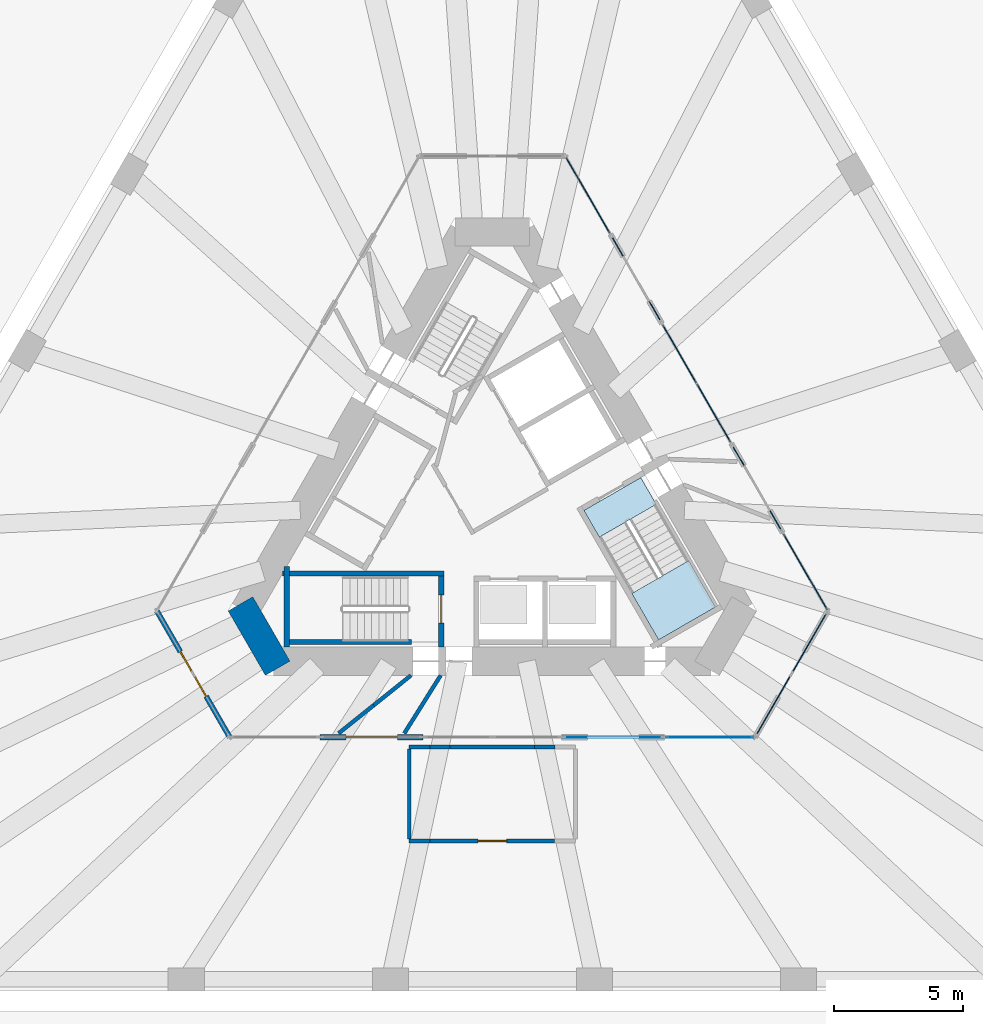
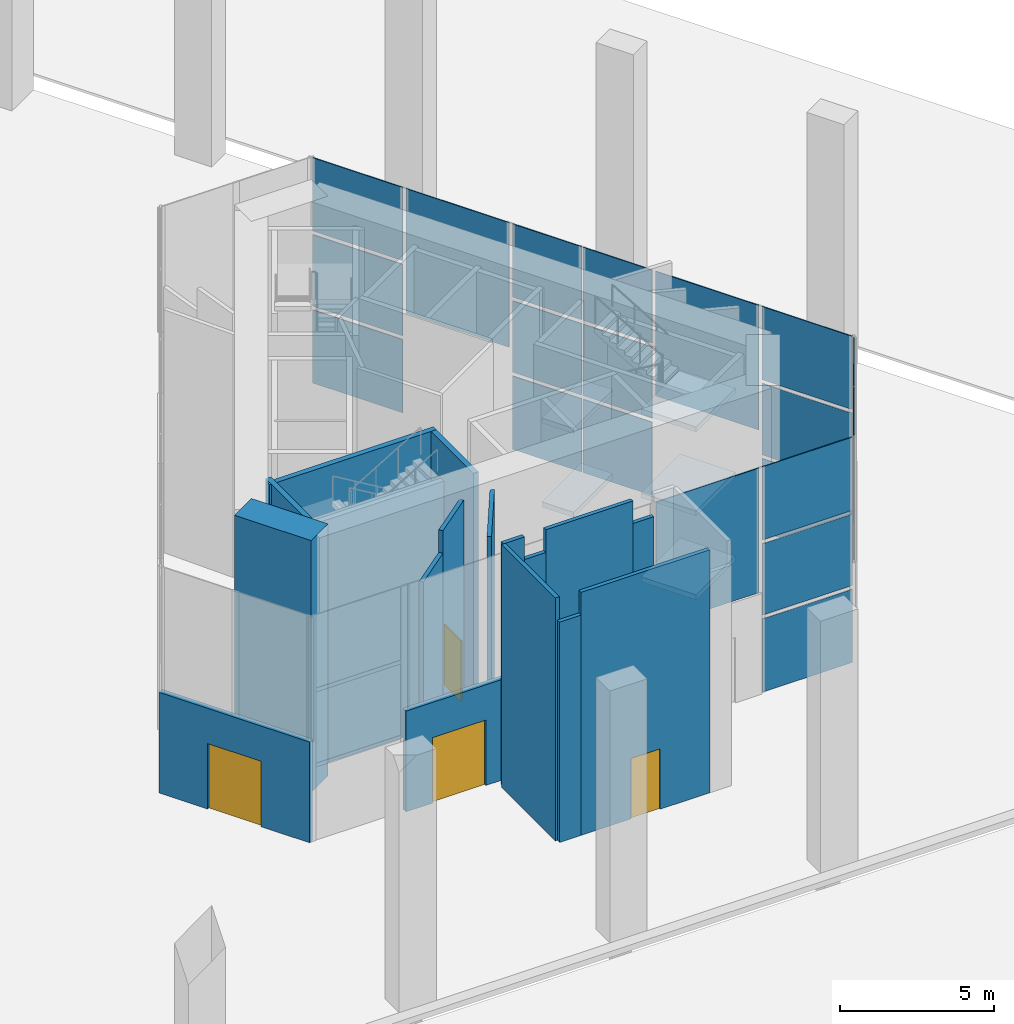
# One storey, part 7 of 13: 20 plates, 17 walls, 5 slabs, 4 doors, 4 openings, 9 elements without a shape of their own.
"""IFC4 building model written with IfcOpenShell, lengths in metres."""

from ifc_helpers import new_model, si_unit, direction, frame, frame_2d, origin, origin_2d, place, context, subcontext, project, spatial, polyline, rectangle, outline, extrude, material, layer, layer_set, type_object, element, fill, aggregate, save


model = new_model("IFC4")

# Units and contexts
model_context = context("Model", 3, precision=1e-05, world=origin(), true_north=direction((0.0, 1.0)))
body_context = subcontext(model_context, "Body", "Model", "MODEL_VIEW")
ifc_project = project(units=[si_unit("LENGTHUNIT", "METRE"), si_unit("AREAUNIT", "SQUARE_METRE"), si_unit("VOLUMEUNIT", "CUBIC_METRE"), si_unit("PLANEANGLEUNIT", "RADIAN"), si_unit("MASSUNIT", "GRAM", prefix="KILO")], contexts=[model_context])

# Site, building, storey
site_placement = place(None, origin())
site = spatial("IfcSite", under=ifc_project, at=site_placement, CompositionType="ELEMENT")
building_placement = place(site_placement, origin())
building = spatial("IfcBuilding", under=site, at=building_placement, Name="Tramontana Tower", CompositionType="ELEMENT")
storey_placement = place(building_placement, origin())
storey = spatial("IfcBuildingStorey", under=building, at=storey_placement, Name="L00", CompositionType="ELEMENT", Elevation=0.0)

# Curtain wall, plates
ifc_material_1 = material(Name="Aluminum extrusion", Category="aluminium")
ifc_layer_1 = layer(ifc_material_1, 0.14990234375)
ifc_layer_set_1 = layer_set([ifc_layer_1], Name="CW1 Entrance pavilion curtain wall")
curtain_wall_type = type_object("IfcCurtainWallType", Name="CW1 Entrance pavilion curtain wall", PredefinedType="NOTDEFINED", material=ifc_layer_set_1)
curtain_wall_1_placement = place(storey_placement, origin())
curtain_wall_1 = element("IfcCurtainWall", 1, at=curtain_wall_1_placement, inside=storey, type_object=curtain_wall_type, Name="CW1 curtain wall L00 edge 1 run 1", PredefinedType="NOTDEFINED")
ifc_material_2 = material(Name="Low-iron double glazing unit", Category="glass")
ifc_layer_2 = layer(ifc_material_2, 0.035888671875)
ifc_layer_set_2 = layer_set([ifc_layer_2], Name="CW1-P Glazing panel 36")
plate_type = type_object("IfcPlateType", Name="CW1-P Glazing panel 36", PredefinedType="CURTAIN_PANEL", material=ifc_layer_set_2)
plate_1_placement = place(storey_placement, frame((3.70458984375, 11.88330078125, 0.0), z_axis=(0.0, 0.0, 1.0), x_axis=(0.5, -0.866025403784, 0.0)))
plate_1 = element("IfcPlate", 2, at=plate_1_placement, type_object=plate_type, Name="CW1 curtain wall L00 edge 1 run 1 panel 1.1", PredefinedType="CURTAIN_PANEL", context=body_context, shape_type="SweptSolid", body=[
    extrude(rectangle(XDim=3.3828125, YDim=0.035888671875, at=origin_2d()), origin(), (0.0, 0.0, 1.0), 2.907958984375),
])
plate_2_placement = place(storey_placement, frame((3.70458984375, 11.88330078125, 3.05810546875), z_axis=(0.0, 0.0, 1.0), x_axis=(0.5, -0.866025403784, 0.0)))
plate_2 = element("IfcPlate", 3, at=plate_2_placement, type_object=plate_type, Name="CW1 curtain wall L00 edge 1 run 1 panel 1.2", PredefinedType="CURTAIN_PANEL", context=body_context, shape_type="SweptSolid", body=[
    extrude(rectangle(XDim=3.3828125, YDim=0.035888671875, at=origin_2d()), origin(), (0.0, 0.0, 1.0), 2.833984375),
])
plate_3_placement = place(storey_placement, frame((3.70458984375, 11.88330078125, 6.0419921875), z_axis=(0.0, 0.0, 1.0), x_axis=(0.5, -0.866025403784, 0.0)))
plate_3 = element("IfcPlate", 4, at=plate_3_placement, type_object=plate_type, Name="CW1 curtain wall L00 edge 1 run 1 panel 1.3", PredefinedType="CURTAIN_PANEL", context=body_context, shape_type="SweptSolid", body=[
    extrude(rectangle(XDim=3.3828125, YDim=0.035888671875, at=origin_2d()), origin(), (0.0, 0.0, 1.0), 2.907958984375),
])
aggregate(curtain_wall_1, [plate_1, plate_2, plate_3])

curtain_wall_2_placement = place(storey_placement, origin())
curtain_wall_2 = element("IfcCurtainWall", 5, at=curtain_wall_2_placement, inside=storey, type_object=curtain_wall_type, Name="CW1 curtain wall L00 edge 1 run 2", PredefinedType="NOTDEFINED")
plate_4_placement = place(storey_placement, frame((7.259765625, 5.725830078125, 0.0), z_axis=(0.0, 0.0, 1.0), x_axis=(0.5, -0.866025403784, 0.0)))
plate_4 = element("IfcPlate", 6, at=plate_4_placement, type_object=plate_type, Name="CW1 curtain wall L00 edge 1 run 2 panel 1.1", PredefinedType="CURTAIN_PANEL", context=body_context, shape_type="SweptSolid", body=[
    extrude(rectangle(XDim=2.597412109375, YDim=0.035888671875, at=origin_2d()), origin(), (0.0, 0.0, 1.0), 2.907958984375),
])
plate_5_placement = place(storey_placement, frame((7.259765625, 5.725830078125, 3.05810546875), z_axis=(0.0, 0.0, 1.0), x_axis=(0.5, -0.866025403784, 0.0)))
plate_5 = element("IfcPlate", 7, at=plate_5_placement, type_object=plate_type, Name="CW1 curtain wall L00 edge 1 run 2 panel 1.2", PredefinedType="CURTAIN_PANEL", context=body_context, shape_type="SweptSolid", body=[
    extrude(rectangle(XDim=2.597412109375, YDim=0.035888671875, at=origin_2d()), origin(), (0.0, 0.0, 1.0), 2.833984375),
])
plate_6_placement = place(storey_placement, frame((7.259765625, 5.725830078125, 6.0419921875), z_axis=(0.0, 0.0, 1.0), x_axis=(0.5, -0.866025403784, 0.0)))
plate_6 = element("IfcPlate", 8, at=plate_6_placement, type_object=plate_type, Name="CW1 curtain wall L00 edge 1 run 2 panel 1.3", PredefinedType="CURTAIN_PANEL", context=body_context, shape_type="SweptSolid", body=[
    extrude(rectangle(XDim=2.597412109375, YDim=0.035888671875, at=origin_2d()), origin(), (0.0, 0.0, 1.0), 2.907958984375),
])
plate_7_placement = place(storey_placement, frame((8.588623046875, 3.42431640625, 0.0), z_axis=(0.0, 0.0, 1.0), x_axis=(0.5, -0.866025403784, 0.0)))
plate_7 = element("IfcPlate", 9, at=plate_7_placement, type_object=plate_type, Name="CW1 curtain wall L00 edge 1 run 2 panel 2.1", PredefinedType="CURTAIN_PANEL", context=body_context, shape_type="SweptSolid", body=[
    extrude(rectangle(XDim=2.597412109375, YDim=0.035888671875, at=origin_2d()), origin(), (0.0, 0.0, 1.0), 2.907958984375),
])
plate_8_placement = place(storey_placement, frame((8.588623046875, 3.42431640625, 3.05810546875), z_axis=(0.0, 0.0, 1.0), x_axis=(0.5, -0.866025403784, 0.0)))
plate_8 = element("IfcPlate", 10, at=plate_8_placement, type_object=plate_type, Name="CW1 curtain wall L00 edge 1 run 2 panel 2.2", PredefinedType="CURTAIN_PANEL", context=body_context, shape_type="SweptSolid", body=[
    extrude(rectangle(XDim=2.597412109375, YDim=0.035888671875, at=origin_2d()), origin(), (0.0, 0.0, 1.0), 2.833984375),
])
plate_9_placement = place(storey_placement, frame((8.588623046875, 3.42431640625, 6.0419921875), z_axis=(0.0, 0.0, 1.0), x_axis=(0.5, -0.866025403784, 0.0)))
plate_9 = element("IfcPlate", 11, at=plate_9_placement, type_object=plate_type, Name="CW1 curtain wall L00 edge 1 run 2 panel 2.3", PredefinedType="CURTAIN_PANEL", context=body_context, shape_type="SweptSolid", body=[
    extrude(rectangle(XDim=2.597412109375, YDim=0.035888671875, at=origin_2d()), origin(), (0.0, 0.0, 1.0), 2.907958984375),
])
aggregate(curtain_wall_2, [plate_4, plate_5, plate_6, plate_7, plate_8, plate_9])

curtain_wall_3_placement = place(storey_placement, origin())
curtain_wall_3 = element("IfcCurtainWall", 12, at=curtain_wall_3_placement, inside=storey, type_object=curtain_wall_type, Name="CW1 curtain wall L00 edge 1 run 3", PredefinedType="NOTDEFINED")
plate_10_placement = place(storey_placement, frame((12.1435546875, -2.733154296875, 0.0), z_axis=(0.0, 0.0, 1.0), x_axis=(0.5, -0.866025403784, 0.0)))
plate_10 = element("IfcPlate", 13, at=plate_10_placement, type_object=plate_type, Name="CW1 curtain wall L00 edge 1 run 3 panel 1.1", PredefinedType="CURTAIN_PANEL", context=body_context, shape_type="SweptSolid", body=[
    extrude(rectangle(XDim=3.3828125, YDim=0.035888671875, at=origin_2d()), origin(), (0.0, 0.0, 1.0), 2.907958984375),
])
plate_11_placement = place(storey_placement, frame((12.1435546875, -2.733154296875, 3.05810546875), z_axis=(0.0, 0.0, 1.0), x_axis=(0.5, -0.866025403784, 0.0)))
plate_11 = element("IfcPlate", 14, at=plate_11_placement, type_object=plate_type, Name="CW1 curtain wall L00 edge 1 run 3 panel 1.2", PredefinedType="CURTAIN_PANEL", context=body_context, shape_type="SweptSolid", body=[
    extrude(rectangle(XDim=3.3828125, YDim=0.035888671875, at=origin_2d()), origin(), (0.0, 0.0, 1.0), 2.833984375),
])
plate_12_placement = place(storey_placement, frame((12.1435546875, -2.733154296875, 6.0419921875), z_axis=(0.0, 0.0, 1.0), x_axis=(0.5, -0.866025403784, 0.0)))
plate_12 = element("IfcPlate", 15, at=plate_12_placement, type_object=plate_type, Name="CW1 curtain wall L00 edge 1 run 3 panel 1.3", PredefinedType="CURTAIN_PANEL", context=body_context, shape_type="SweptSolid", body=[
    extrude(rectangle(XDim=3.3828125, YDim=0.035888671875, at=origin_2d()), origin(), (0.0, 0.0, 1.0), 2.907958984375),
])
aggregate(curtain_wall_3, [plate_10, plate_11, plate_12])

# Curtain wall, plate
curtain_wall_4_placement = place(storey_placement, origin())
curtain_wall_4 = element("IfcCurtainWall", 16, at=curtain_wall_4_placement, inside=storey, type_object=curtain_wall_type, Name="CW1 curtain wall L00 edge 1 over entrance 1", PredefinedType="NOTDEFINED")
plate_13_placement = place(storey_placement, frame((5.580322265625, 8.634521484375, 4.0), z_axis=(0.0, 0.0, 1.0), x_axis=(0.5, -0.866025403784, 0.0)))
plate_13 = element("IfcPlate", 17, at=plate_13_placement, type_object=plate_type, Name="CW1 curtain wall L00 edge 1 over entrance 1 panel 1.1", PredefinedType="CURTAIN_PANEL", context=body_context, shape_type="SweptSolid", body=[
    extrude(rectangle(XDim=3.8798828125, YDim=0.035888671875, at=origin_2d()), origin(), (0.0, 0.0, 1.0), 4.949951171875),
])
aggregate(curtain_wall_4, [plate_13])

curtain_wall_5_placement = place(storey_placement, origin())
curtain_wall_5 = element("IfcCurtainWall", 18, at=curtain_wall_5_placement, inside=storey, type_object=curtain_wall_type, Name="CW1 curtain wall L00 edge 1 over entrance 2", PredefinedType="NOTDEFINED")
plate_14_placement = place(storey_placement, frame((10.267822265625, 0.515380859375, 4.0), z_axis=(0.0, 0.0, 1.0), x_axis=(0.5, -0.866025403784, 0.0)))
plate_14 = element("IfcPlate", 19, at=plate_14_placement, type_object=plate_type, Name="CW1 curtain wall L00 edge 1 over entrance 2 panel 1.1", PredefinedType="CURTAIN_PANEL", context=body_context, shape_type="SweptSolid", body=[
    extrude(rectangle(XDim=3.8798828125, YDim=0.035888671875, at=origin_2d()), origin(), (0.0, 0.0, 1.0), 4.949951171875),
])
aggregate(curtain_wall_5, [plate_14])

# Curtain wall, plates
curtain_wall_6_placement = place(storey_placement, origin())
curtain_wall_6 = element("IfcCurtainWall", 20, at=curtain_wall_6_placement, inside=storey, type_object=curtain_wall_type, Name="CW1 curtain wall L00 stair exit 1 over door", PredefinedType="NOTDEFINED")
plate_15_placement = place(storey_placement, frame((12.304443359375, -5.488037109375, 4.0), z_axis=(0.0, 0.0, 1.0), x_axis=(-0.5, -0.866025403784, 0.0)))
plate_15 = element("IfcPlate", 21, at=plate_15_placement, type_object=plate_type, Name="CW1 curtain wall L00 stair exit 1 over door panel 1.1", PredefinedType="CURTAIN_PANEL", context=body_context, shape_type="SweptSolid", body=[
    extrude(rectangle(XDim=2.739013671875, YDim=0.035888671875, at=origin_2d()), origin(), (0.0, 0.0, 1.0), 4.949951171875),
])
plate_16_placement = place(storey_placement, frame((10.905029296875, -7.912109375, 4.0), z_axis=(0.0, 0.0, 1.0), x_axis=(-0.5, -0.866025403784, 0.0)))
plate_16 = element("IfcPlate", 22, at=plate_16_placement, type_object=plate_type, Name="CW1 curtain wall L00 stair exit 1 over door panel 2.1", PredefinedType="CURTAIN_PANEL", context=body_context, shape_type="SweptSolid", body=[
    extrude(rectangle(XDim=2.739013671875, YDim=0.035888671875, at=origin_2d()), origin(), (0.0, 0.0, 1.0), 4.949951171875),
])
aggregate(curtain_wall_6, [plate_15, plate_16])

curtain_wall_7_placement = place(storey_placement, origin())
curtain_wall_7 = element("IfcCurtainWall", 23, at=curtain_wall_7_placement, inside=storey, type_object=curtain_wall_type, Name="CW1 curtain wall L00 edge 2 run 1", PredefinedType="NOTDEFINED")
plate_17_placement = place(storey_placement, frame((8.43896484375, -9.14990234375, 0.0), z_axis=(0.0, 0.0, 1.0), x_axis=(-1.0, 0.0, 0.0)))
plate_17 = element("IfcPlate", 24, at=plate_17_placement, type_object=plate_type, Name="CW1 curtain wall L00 edge 2 run 1 panel 1.1", PredefinedType="CURTAIN_PANEL", context=body_context, shape_type="SweptSolid", body=[
    extrude(rectangle(XDim=3.3828125, YDim=0.035888671875, at=origin_2d()), origin(), (0.0, 0.0, 1.0), 2.907958984375),
])
plate_18_placement = place(storey_placement, frame((8.43896484375, -9.14990234375, 3.05810546875), z_axis=(0.0, 0.0, 1.0), x_axis=(-1.0, 0.0, 0.0)))
plate_18 = element("IfcPlate", 25, at=plate_18_placement, type_object=plate_type, Name="CW1 curtain wall L00 edge 2 run 1 panel 1.2", PredefinedType="CURTAIN_PANEL", context=body_context, shape_type="SweptSolid", body=[
    extrude(rectangle(XDim=3.3828125, YDim=0.035888671875, at=origin_2d()), origin(), (0.0, 0.0, 1.0), 2.833984375),
])
plate_19_placement = place(storey_placement, frame((8.43896484375, -9.14990234375, 6.0419921875), z_axis=(0.0, 0.0, 1.0), x_axis=(-1.0, 0.0, 0.0)))
plate_19 = element("IfcPlate", 26, at=plate_19_placement, type_object=plate_type, Name="CW1 curtain wall L00 edge 2 run 1 panel 1.3", PredefinedType="CURTAIN_PANEL", context=body_context, shape_type="SweptSolid", body=[
    extrude(rectangle(XDim=3.3828125, YDim=0.035888671875, at=origin_2d()), origin(), (0.0, 0.0, 1.0), 2.907958984375),
])
aggregate(curtain_wall_7, [plate_17, plate_18, plate_19])

# Curtain wall, plate
curtain_wall_8_placement = place(storey_placement, origin())
curtain_wall_8 = element("IfcCurtainWall", 27, at=curtain_wall_8_placement, inside=storey, type_object=curtain_wall_type, Name="CW1 curtain wall L00 edge 2 over entrance 1", PredefinedType="NOTDEFINED")
plate_20_placement = place(storey_placement, frame((4.6875, -9.14990234375, 4.0), z_axis=(0.0, 0.0, 1.0), x_axis=(-1.0, 0.0, 0.0)))
plate_20 = element("IfcPlate", 28, at=plate_20_placement, type_object=plate_type, Name="CW1 curtain wall L00 edge 2 over entrance 1 panel 1.1", PredefinedType="CURTAIN_PANEL", context=body_context, shape_type="SweptSolid", body=[
    extrude(rectangle(XDim=3.8798828125, YDim=0.035888671875, at=origin_2d()), origin(), (0.0, 0.0, 1.0), 4.949951171875),
])
aggregate(curtain_wall_8, [plate_20])

# Stair, slabs
ifc_material_3 = material(Name="Concrete 40 MPa", Category="concrete")
stair_type = type_object("IfcStairType", Name="EXIT STAIR 60 RISERS", PredefinedType="HALF_TURN_STAIR", material=ifc_material_3)
stair_placement = place(storey_placement, origin())
stair = element("IfcStair", 29, at=stair_placement, inside=storey, type_object=stair_type, Name="L00 Exit stair ST3", PredefinedType="HALF_TURN_STAIR")
ifc_material_4 = material(Name="Concrete 40 MPa", Category="concrete")
ifc_layer_3 = layer(ifc_material_4, 0.199951171875)
ifc_layer_set_3 = layer_set([ifc_layer_3], Name="STAIR LANDING 200")
slab_type = type_object("IfcSlabType", Name="STAIR LANDING 200", PredefinedType="LANDING", material=ifc_layer_set_3)
slab_1_placement = place(storey_placement, frame((0.0, 0.0, 1.466552734375)))
slab_1 = element("IfcSlab", 30, at=slab_1_placement, type_object=slab_type, Name="ST3 landing 1", PredefinedType="LANDING", context=body_context, shape_type="SweptSolid", body=[
    extrude(outline(polyline([(5.411376953125, -3.572998046875), (6.451416015625, -5.374267578125), (8.659912109375, -4.099365234375), (7.619873046875, -2.2978515625), (5.411376953125, -3.572998046875)])), origin(), (0.0, 0.0, 1.0), 0.2001953125),
])
slab_2_placement = place(storey_placement, frame((0.0, 0.0, 3.13330078125)))
slab_2 = element("IfcSlab", 31, at=slab_2_placement, type_object=slab_type, Name="ST3 landing 2", PredefinedType="LANDING", context=body_context, shape_type="SweptSolid", body=[
    extrude(outline(polyline([(3.551513671875, -0.351318359375), (4.1513671875, -1.390625), (6.35986328125, -0.115478515625), (5.759765625, 0.923583984375), (3.551513671875, -0.351318359375)])), origin(), (0.0, 0.0, 1.0), 0.199951171875),
])
slab_3_placement = place(storey_placement, frame((0.0, 0.0, 4.800048828125)))
slab_3 = element("IfcSlab", 32, at=slab_3_placement, type_object=slab_type, Name="ST3 landing 3", PredefinedType="LANDING", context=body_context, shape_type="SweptSolid", body=[
    extrude(outline(polyline([(5.411376953125, -3.572998046875), (6.451416015625, -5.374267578125), (8.659912109375, -4.099365234375), (7.619873046875, -2.2978515625), (5.411376953125, -3.572998046875)])), origin(), (0.0, 0.0, 1.0), 0.199951171875),
])
slab_4_placement = place(storey_placement, frame((0.0, 0.0, 6.466552734375)))
slab_4 = element("IfcSlab", 33, at=slab_4_placement, type_object=slab_type, Name="ST3 landing 4", PredefinedType="LANDING", context=body_context, shape_type="SweptSolid", body=[
    extrude(outline(polyline([(3.551513671875, -0.351318359375), (4.1513671875, -1.390625), (6.35986328125, -0.115478515625), (5.759765625, 0.923583984375), (3.551513671875, -0.351318359375)])), origin(), (0.0, 0.0, 1.0), 0.2001953125),
])
slab_5_placement = place(storey_placement, frame((0.0, 0.0, 8.13330078125)))
slab_5 = element("IfcSlab", 34, at=slab_5_placement, type_object=slab_type, Name="ST3 landing 5", PredefinedType="LANDING", context=body_context, shape_type="SweptSolid", body=[
    extrude(outline(polyline([(5.411376953125, -3.572998046875), (6.451416015625, -5.374267578125), (8.659912109375, -4.099365234375), (7.619873046875, -2.2978515625), (5.411376953125, -3.572998046875)])), origin(), (0.0, 0.0, 1.0), 0.199951171875),
])
aggregate(stair, [slab_1, slab_2, slab_3, slab_4, slab_5])

# Wall
ifc_material_5 = material(Name="Concrete 70 MPa", Category="concrete")
ifc_layer_4 = layer(ifc_material_5, 1.10009765625)
ifc_layer_set_4 = layer_set([ifc_layer_4], Name="Core wall 1100 70 MPa")
wall_type_1 = type_object("IfcWallType", Name="Core wall 1100 70 MPa", PredefinedType="SHEAR", material=ifc_layer_set_4)
wall_1_placement = place(storey_placement, frame((-9.771728515625, -3.97509765625, 0.0), z_axis=(0.0, 0.0, 1.0), x_axis=(0.499995765644, -0.866027848477, 0.0)))
element("IfcWall", 35, at=wall_1_placement, inside=storey, type_object=wall_type_1, Name="Core wall C2 L00", PredefinedType="SHEAR", context=body_context, shape_type="SweptSolid", body=[
    extrude(rectangle(XDim=2.88671875, YDim=1.10009765625, at=frame_2d((1.443359375, 0.0))), origin(), (0.0, 0.0, 1.0), 10.0),
])

# Wall, opening, door
ifc_material_6 = material(Name="Aluminum extrusion", Category="aluminium")
ifc_layer_5 = layer(ifc_material_6, 0.199951171875)
ifc_layer_set_5 = layer_set([ifc_layer_5], Name="EF1 Entrance frame wall 200")
wall_type_2 = type_object("IfcWallType", Name="EF1 Entrance frame wall 200", PredefinedType="STANDARD", material=ifc_layer_set_5)
wall_2_placement = place(storey_placement, frame((-2.6875, -9.14990234375, 0.0), z_axis=(0.0, 0.0, 1.0), x_axis=(-1.0, 0.0, 0.0)))
wall_2 = element("IfcWall", 36, at=wall_2_placement, inside=storey, type_object=wall_type_2, Name="Entrance frame 2.2", PredefinedType="STANDARD", context=body_context, shape_type="SweptSolid", body=[
    extrude(rectangle(XDim=4.0, YDim=0.199951171875, at=frame_2d((2.0, 0.0))), origin(), (0.0, 0.0, 1.0), 4.0),
])
opening_1_placement = place(wall_2_placement, frame((1.0, 0.0, 0.0)))
opening_1 = element("IfcOpeningElement", 37, at=opening_1_placement, cuts=wall_2, Name="Opening ED-22", PredefinedType="OPENING", context=body_context, shape_type="SweptSolid", body=[
    extrude(rectangle(XDim=2.0, YDim=2.60009765625, at=frame_2d((1.0, 1.300048828125))), frame((0.0, 0.10986328125, 0.0), z_axis=(0.0, -1.0, 0.0), x_axis=(1.0, 0.0, 0.0)), (0.0, 0.0, 1.0), 0.219970703125),
])
ifc_material_7 = material(Name="Aluminum frame, double glazing unit", Category="aluminium")
door_type_1 = type_object("IfcDoorType", Name="ED1 Entrance door 2000 x 2600", OperationType="DOUBLE_DOOR_SINGLE_SWING", PredefinedType="DOOR", material=ifc_material_7)
door_1_placement = place(opening_1_placement, origin())
door_1 = element("IfcDoor", 38, at=door_1_placement, inside=storey, type_object=door_type_1, Name="Entrance door 2.2", OperationType="DOUBLE_DOOR_SINGLE_SWING", OverallHeight=2.60009765625, OverallWidth=2.0, PredefinedType="DOOR", context=body_context, shape_type="SweptSolid", body=[
    extrude(rectangle(XDim=2.0, YDim=2.60009765625, at=frame_2d((1.0, 1.300048828125))), frame((0.0, 0.02490234375, 0.0), z_axis=(0.0, -1.0, 0.0), x_axis=(1.0, 0.0, 0.0)), (0.0, 0.0, 1.0), 0.050048828125),
])
fill(opening_1, door_1)

wall_3_placement = place(storey_placement, frame((-10.190185546875, -9.14990234375, 0.0), z_axis=(0.0, 0.0, 1.0), x_axis=(-0.500018773155, 0.866014564827, 0.0)))
wall_3 = element("IfcWall", 39, at=wall_3_placement, inside=storey, type_object=wall_type_2, Name="Stair exit frame 2", PredefinedType="STANDARD", context=body_context, shape_type="SweptSolid", body=[
    extrude(rectangle(XDim=5.657958984375, YDim=0.199951171875, at=frame_2d((2.8291015625, 0.0))), origin(), (0.0, 0.0, 1.0), 4.0),
])
opening_2_placement = place(wall_3_placement, frame((1.8291015625, 0.0, 0.0)))
opening_2 = element("IfcOpeningElement", 40, at=opening_2_placement, cuts=wall_3, Name="Opening ED-42", PredefinedType="OPENING", context=body_context, shape_type="SweptSolid", body=[
    extrude(rectangle(XDim=2.0, YDim=2.60009765625, at=frame_2d((1.0, 1.300048828125))), frame((0.0, 0.10986328125, 0.0), z_axis=(0.0, -1.0, 0.0), x_axis=(1.0, 0.0, 0.0)), (0.0, 0.0, 1.0), 0.219970703125),
])
door_2_placement = place(opening_2_placement, origin())
door_2 = element("IfcDoor", 41, at=door_2_placement, inside=storey, type_object=door_type_1, Name="Stair exit door 2", OperationType="DOUBLE_DOOR_SINGLE_SWING", OverallHeight=2.60009765625, OverallWidth=2.0, PredefinedType="DOOR", context=body_context, shape_type="SweptSolid", body=[
    extrude(rectangle(XDim=2.0, YDim=2.60009765625, at=frame_2d((1.0, 1.300048828125))), frame((0.0, 0.02490234375, 0.0), z_axis=(0.0, -1.0, 0.0), x_axis=(1.0, 0.0, 0.0)), (0.0, 0.0, 1.0), 0.050048828125),
])
fill(opening_2, door_2)

# Walls
ifc_material_8 = material(Name="Blockwork", Category="masonry")
ifc_layer_6 = layer(ifc_material_8, 0.14990234375)
ifc_layer_set_6 = layer_set([ifc_layer_6], Name="ENCLOSURE WALL 150")
wall_type_3 = type_object("IfcWallType", Name="ENCLOSURE WALL 150", PredefinedType="SOLIDWALL", material=ifc_layer_set_6)
wall_4_placement = place(storey_placement, frame((2.428955078125, -9.52490234375, 0.0), z_axis=(0.0, 0.0, 1.0), x_axis=(-1.0, 0.0, 0.0)))
element("IfcWall", 42, at=wall_4_placement, inside=storey, type_object=wall_type_3, Name="Wall fcc-in-1", PredefinedType="SOLIDWALL", context=body_context, shape_type="SweptSolid", body=[
    extrude(rectangle(XDim=0.792236328125, YDim=0.14990234375, at=frame_2d((0.39599609375, 0.0))), origin(), (0.0, 0.0, 1.0), 8.75),
])
wall_5_placement = place(storey_placement, frame((1.63671875, -9.52490234375, 0.0), z_axis=(0.0, 0.0, 1.0), x_axis=(-1.0, 0.0, 0.0)))
element("IfcWall", 43, at=wall_5_placement, inside=storey, type_object=wall_type_3, Name="Wall fcc-in-2", PredefinedType="SOLIDWALL", context=body_context, shape_type="SweptSolid", body=[
    extrude(rectangle(XDim=3.2734375, YDim=0.14990234375, at=frame_2d((1.63671875, 0.0))), origin(), (0.0, 0.0, 1.0), 9.64990234375),
])
wall_6_placement = place(storey_placement, frame((-1.63671875, -9.52490234375, 0.0), z_axis=(0.0, 0.0, 1.0), x_axis=(-1.0, 0.0, 0.0)))
element("IfcWall", 44, at=wall_6_placement, inside=storey, type_object=wall_type_3, Name="Wall fcc-in-3", PredefinedType="SOLIDWALL", context=body_context, shape_type="SweptSolid", body=[
    extrude(rectangle(XDim=0.792236328125, YDim=0.14990234375, at=frame_2d((0.39599609375, 0.0))), origin(), (0.0, 0.0, 1.0), 8.75),
])
wall_7_placement = place(storey_placement, frame((-2.428955078125, -9.52490234375, 0.0), z_axis=(0.0, 0.0, 1.0), x_axis=(-1.0, 0.0, 0.0)))
element("IfcWall", 45, at=wall_7_placement, inside=storey, type_object=wall_type_3, Name="Wall fcc-in-4", PredefinedType="SOLIDWALL", context=body_context, shape_type="SweptSolid", body=[
    extrude(rectangle(XDim=0.796142578125, YDim=0.14990234375, at=frame_2d((0.39794921875, 0.0))), origin(), (0.0, 0.0, 1.0), 9.64990234375),
])

# Wall, opening, door
wall_8_placement = place(storey_placement, frame((2.41552734375, -13.175048828125, 0.0), z_axis=(0.0, 0.0, 1.0), x_axis=(-1.0, 0.0, 0.0)))
wall_8 = element("IfcWall", 46, at=wall_8_placement, inside=storey, type_object=wall_type_3, Name="Wall fcc-out-1", PredefinedType="SOLIDWALL", context=body_context, shape_type="SweptSolid", body=[
    extrude(rectangle(XDim=4.8310546875, YDim=0.14990234375, at=frame_2d((2.41552734375, 0.0))), origin(), (0.0, 0.0, 1.0), 9.64990234375),
])
opening_3_placement = place(wall_8_placement, frame((1.86572265625, 0.0, 0.0)))
opening_3 = element("IfcOpeningElement", 47, at=opening_3_placement, cuts=wall_8, Name="Opening FC1", PredefinedType="OPENING", context=body_context, shape_type="SweptSolid", body=[
    extrude(rectangle(XDim=1.10009765625, YDim=2.39990234375, at=frame_2d((0.550048828125, 1.199951171875))), frame((0.0, 0.0849609375, 0.0), z_axis=(0.0, -1.0, 0.0), x_axis=(1.0, 0.0, 0.0)), (0.0, 0.0, 1.0), 0.169921875),
])
ifc_material_9 = material(Name="Painted timber", Category="wood")
door_type_2 = type_object("IfcDoorType", Name="DOOR ENTRY 1100", OperationType="SINGLE_SWING_LEFT", PredefinedType="DOOR", material=ifc_material_9)
door_3_placement = place(opening_3_placement, origin())
door_3 = element("IfcDoor", 48, at=door_3_placement, inside=storey, type_object=door_type_2, Name="Door FC1", OperationType="SINGLE_SWING_RIGHT", OverallHeight=2.39990234375, OverallWidth=1.10009765625, PredefinedType="DOOR", context=body_context, shape_type="SweptSolid", body=[
    extrude(rectangle(XDim=1.10009765625, YDim=2.39990234375, at=frame_2d((0.550048828125, 1.199951171875))), frame((0.0, 0.02490234375, 0.0), z_axis=(0.0, -1.0, 0.0), x_axis=(1.0, 0.0, 0.0)), (0.0, 0.0, 1.0), 0.050048828125),
])
fill(opening_3, door_3)

# Walls
wall_9_placement = place(storey_placement, frame((-2.41552734375, -13.175048828125, 0.0), z_axis=(0.0, 0.0, 1.0), x_axis=(-1.0, 0.0, 0.0)))
element("IfcWall", 49, at=wall_9_placement, inside=storey, type_object=wall_type_3, Name="Wall fcc-out-2", PredefinedType="SOLIDWALL", context=body_context, shape_type="SweptSolid", body=[
    extrude(rectangle(XDim=0.8095703125, YDim=0.14990234375, at=frame_2d((0.40478515625, 0.0))), origin(), (0.0, 0.0, 1.0), 8.75),
])
wall_10_placement = place(storey_placement, frame((-3.22509765625, -9.60009765625, 0.0), z_axis=(0.0, 0.0, 1.0), x_axis=(0.0, -1.0, 0.0)))
element("IfcWall", 50, at=wall_10_placement, inside=storey, type_object=wall_type_3, Name="Wall fcc-e1", PredefinedType="SOLIDWALL", context=body_context, shape_type="SweptSolid", body=[
    extrude(rectangle(XDim=3.5, YDim=0.14990234375, at=frame_2d((1.75, 0.0))), origin(), (0.0, 0.0, 1.0), 9.64990234375),
])
ifc_material_10 = material(Name="Gypsum board partition")
ifc_layer_7 = layer(ifc_material_10, 0.14990234375)
ifc_layer_set_7 = layer_set([ifc_layer_7], Name="PARTITION 150")
wall_type_4 = type_object("IfcWallType", Name="PARTITION 150", PredefinedType="PARTITIONING", material=ifc_layer_set_7)
wall_11_placement = place(storey_placement, frame((-3.155029296875, -6.75, 0.0), z_axis=(0.0, 0.0, 1.0), x_axis=(-0.780560976865, -0.625079644042, 0.0)))
element("IfcWall", 51, at=wall_11_placement, inside=storey, type_object=wall_type_4, Name="Wall exitp2-l-0", PredefinedType="PARTITIONING", context=body_context, shape_type="SweptSolid", body=[
    extrude(rectangle(XDim=1.857666015625, YDim=0.14990234375, at=frame_2d((0.9287109375, 0.0))), origin(), (0.0, 0.0, 1.0), 9.64990234375),
])
wall_12_placement = place(storey_placement, frame((-4.60498046875, -7.9111328125, 0.0), z_axis=(0.0, 0.0, 1.0), x_axis=(-0.780650026042, -0.624968428675, 0.0)))
element("IfcWall", 52, at=wall_12_placement, inside=storey, type_object=wall_type_4, Name="Wall exitp2-l-1", PredefinedType="PARTITIONING", context=body_context, shape_type="SweptSolid", body=[
    extrude(rectangle(XDim=1.7421875, YDim=0.14990234375, at=frame_2d((0.87109375, 0.0))), origin(), (0.0, 0.0, 1.0), 8.75),
])
wall_13_placement = place(storey_placement, frame((-2.0048828125, -6.75, 0.0), z_axis=(0.0, 0.0, 1.0), x_axis=(-0.53105637592, -0.847336489002, 0.0)))
element("IfcWall", 53, at=wall_13_placement, inside=storey, type_object=wall_type_4, Name="Wall exitp2-r", PredefinedType="PARTITIONING", context=body_context, shape_type="SweptSolid", body=[
    extrude(rectangle(XDim=2.6552734375, YDim=0.14990234375, at=frame_2d((1.32763671875, 0.0))), origin(), (0.0, 0.0, 1.0), 9.64990234375),
])
ifc_material_11 = material(Name="Concrete 70 MPa", Category="concrete")
ifc_layer_8 = layer(ifc_material_11, 0.199951171875)
ifc_layer_set_8 = layer_set([ifc_layer_8], Name="Concrete 70 MPa, 200 mm")
wall_type_5 = type_object("IfcWallType", Name="RC SHAFT BACK WALL 200", PredefinedType="SOLIDWALL", material=ifc_layer_set_8)
wall_14_placement = place(storey_placement, frame((-8.080078125, -5.449951171875, 0.0), z_axis=(0.0, 0.0, 1.0), x_axis=(1.0, 0.0, 0.0)))
element("IfcWall", 54, at=wall_14_placement, inside=storey, type_object=wall_type_5, Name="Wall st2-back", PredefinedType="SOLIDWALL", context=body_context, shape_type="SweptSolid", body=[
    extrude(rectangle(XDim=4.9501953125, YDim=0.199951171875, at=frame_2d((2.47509765625, 0.0))), origin(), (0.0, 0.0, 1.0), 9.64990234375),
])
ifc_material_12 = material(Name="Concrete 70 MPa", Category="concrete")
ifc_layer_9 = layer(ifc_material_12, 0.199951171875)
ifc_layer_set_9 = layer_set([ifc_layer_9], Name="Concrete 70 MPa, 200 mm")
wall_type_6 = type_object("IfcWallType", Name="RC STAIR AND SHAFT WALL 200", PredefinedType="SOLIDWALL", material=ifc_layer_set_9)
wall_15_placement = place(storey_placement, frame((-8.140625, -2.800048828125, 0.0), z_axis=(0.0, 0.0, 1.0), x_axis=(1.0, 0.0, 0.0)))
element("IfcWall", 55, at=wall_15_placement, inside=storey, type_object=wall_type_6, Name="Wall st2-front", PredefinedType="SOLIDWALL", context=body_context, shape_type="SweptSolid", body=[
    extrude(rectangle(XDim=6.2607421875, YDim=0.199951171875, at=frame_2d((3.13037109375, 0.0))), origin(), (0.0, 0.0, 1.0), 9.64990234375),
])
wall_16_placement = place(storey_placement, frame((-7.97998046875, -2.521728515625, 0.0), z_axis=(0.0, 0.0, 1.0), x_axis=(0.0, -1.0, 0.0)))
element("IfcWall", 56, at=wall_16_placement, inside=storey, type_object=wall_type_6, Name="Wall st2-far", PredefinedType="SOLIDWALL", context=body_context, shape_type="SweptSolid", body=[
    extrude(rectangle(XDim=3.128173828125, YDim=0.199951171875, at=frame_2d((1.56396484375, 0.0))), origin(), (0.0, 0.0, 1.0), 9.64990234375),
])

# Wall, opening, door
wall_17_placement = place(storey_placement, frame((-1.97998046875, -2.89990234375, 0.0), z_axis=(0.0, 0.0, 1.0), x_axis=(0.0, -1.0, 0.0)))
wall_17 = element("IfcWall", 57, at=wall_17_placement, inside=storey, type_object=wall_type_6, Name="Wall st2-near", PredefinedType="SOLIDWALL", context=body_context, shape_type="SweptSolid", body=[
    extrude(rectangle(XDim=2.75, YDim=0.199951171875, at=frame_2d((1.375, 0.0))), origin(), (0.0, 0.0, 1.0), 9.64990234375),
])
opening_4_placement = place(wall_17_placement, frame((0.72509765625, 0.0, 0.0)))
opening_4 = element("IfcOpeningElement", 58, at=opening_4_placement, cuts=wall_17, Name="Opening SD2", PredefinedType="OPENING", context=body_context, shape_type="SweptSolid", body=[
    extrude(rectangle(XDim=1.10009765625, YDim=2.39990234375, at=frame_2d((0.550048828125, 1.199951171875))), frame((0.0, 0.10986328125, 0.0), z_axis=(0.0, -1.0, 0.0), x_axis=(1.0, 0.0, 0.0)), (0.0, 0.0, 1.0), 0.219970703125),
])
ifc_material_13 = material(Name="Painted steel", Category="steel")
door_type_3 = type_object("IfcDoorType", Name="STAIR DOOR 1100", OperationType="SINGLE_SWING_LEFT", PredefinedType="DOOR", material=ifc_material_13)
door_4_placement = place(opening_4_placement, origin())
door_4 = element("IfcDoor", 59, at=door_4_placement, inside=storey, type_object=door_type_3, Name="Door SD2", OperationType="SINGLE_SWING_LEFT", OverallHeight=2.39990234375, OverallWidth=1.10009765625, PredefinedType="DOOR", context=body_context, shape_type="SweptSolid", body=[
    extrude(rectangle(XDim=1.10009765625, YDim=2.39990234375, at=frame_2d((0.550048828125, 1.199951171875))), frame((0.0, 0.02490234375, 0.0), z_axis=(0.0, -1.0, 0.0), x_axis=(1.0, 0.0, 0.0)), (0.0, 0.0, 1.0), 0.050048828125),
])
fill(opening_4, door_4)

save(model, "model.ifc")
